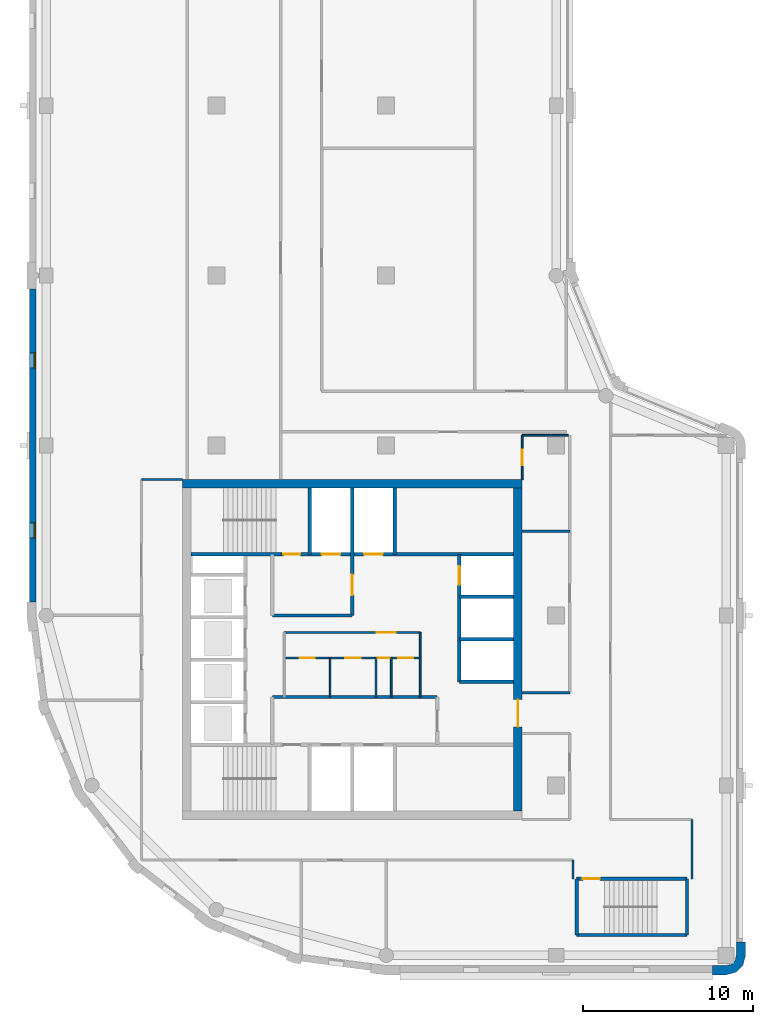
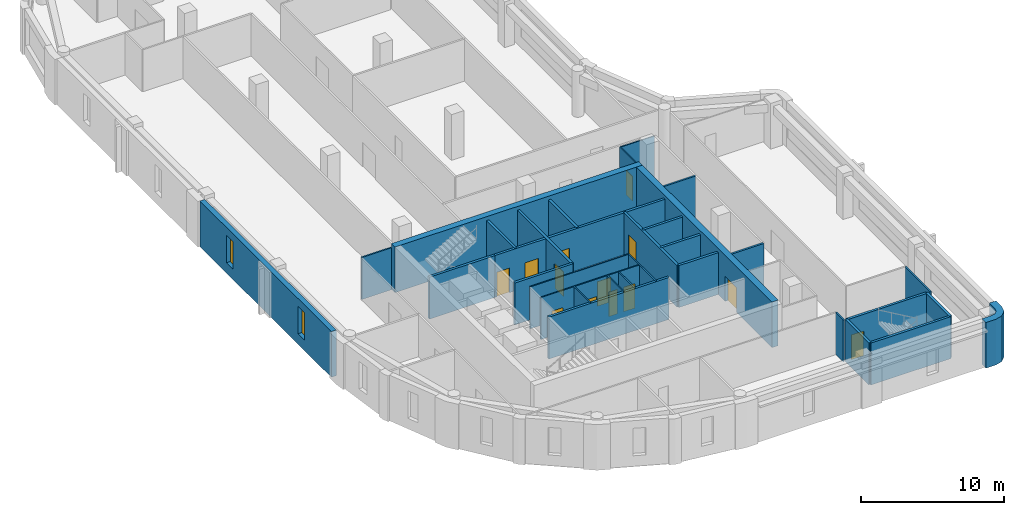
# One storey, part 3 of 8: 32 walls, 13 doors, 2 windows, 15 openings.
"""IFC4 building model written with IfcOpenShell, lengths in metres."""

from ifc_helpers import new_model, si_unit, direction, frame, frame_2d, origin, place, context, subcontext, project, spatial, polyline, rectangle, outline, extrude, material, layer, layer_set, type_object, element, fill, save


model = new_model("IFC4")

# Units and contexts
model_context = context("Model", 3, precision=1e-05, world=origin(), true_north=direction((0.0, 1.0)))
body_context = subcontext(model_context, "Body", "Model", "MODEL_VIEW")
ifc_project = project(units=[si_unit("LENGTHUNIT", "METRE"), si_unit("AREAUNIT", "SQUARE_METRE"), si_unit("VOLUMEUNIT", "CUBIC_METRE"), si_unit("PLANEANGLEUNIT", "RADIAN"), si_unit("MASSUNIT", "GRAM", prefix="KILO")], contexts=[model_context])

# Site, building, storey
site_placement = place(None, origin())
site = spatial("IfcSite", under=ifc_project, at=site_placement, CompositionType="ELEMENT")
building_placement = place(site_placement, origin())
building = spatial("IfcBuilding", under=site, at=building_placement, Name="Qaws Garden Tower", CompositionType="ELEMENT")
storey_placement = place(building_placement, frame((0.0, 0.0, 309.89990234375)))
storey = spatial("IfcBuildingStorey", under=building, at=storey_placement, Name="L75", CompositionType="ELEMENT", Elevation=309.89990234375)

# Wall
ifc_material_1 = material(Name="Buff clay facing brick masonry", Category="masonry")
ifc_layer_1 = layer(ifc_material_1, 0.550048828125)
ifc_layer_set_1 = layer_set([ifc_layer_1], Name="Buff clay facing brick masonry")
wall_type_1 = type_object("IfcWallType", Name="Buff brick corner pier 550 x 2400", PredefinedType="SOLIDWALL", material=ifc_layer_set_1)
wall_1_placement = place(storey_placement, origin())
element("IfcWall", 1, at=wall_1_placement, inside=storey, type_object=wall_type_1, Name="E-L75-pier-02", PredefinedType="SOLIDWALL", context=body_context, shape_type="SweptSolid", body=[
    extrude(outline(polyline([(39.199951171875, -1.0), (39.199951171875, -1.14990234375), (40.0, -1.14990234375), (40.574951171875, -0.995849609375), (40.995849609375, -0.574951171875), (41.14990234375, 0.0), (41.14990234375, 0.800048828125), (41.0, 0.800048828125), (40.60009765625, 0.800048828125), (40.60009765625, 0.0), (40.51953125, -0.300048828125), (40.300048828125, -0.51953125), (40.0, -0.60009765625), (39.199951171875, -0.60009765625), (39.199951171875, -1.0)])), origin(), (0.0, 0.0, 1.0), 3.900146484375),
])

# Wall, openings, windows
ifc_material_2 = material(Name="Buff clay facing brick masonry", Category="masonry")
ifc_layer_2 = layer(ifc_material_2, 0.39990234375)
ifc_layer_set_2 = layer_set([ifc_layer_2], Name="Buff clay facing brick masonry")
wall_type_2 = type_object("IfcWallType", Name="Buff brick infill wall 400", PredefinedType="SOLIDWALL", material=ifc_layer_set_2)
wall_2_placement = place(storey_placement, frame((-0.800048828125, 39.199951171875, 0.0), z_axis=(0.0, 0.0, 1.0), x_axis=(0.0, -1.0, 0.0)))
wall_2 = element("IfcWall", 2, at=wall_2_placement, inside=storey, type_object=wall_type_2, Name="E-L75-infill-19", PredefinedType="SOLIDWALL", context=body_context, shape_type="SweptSolid", body=[
    extrude(rectangle(XDim=18.39990234375, YDim=0.39990234375, at=frame_2d((9.199951171875, 0.0))), origin(), (0.0, 0.0, 1.0), 3.900146484375),
])
opening_1_placement = place(wall_2_placement, frame((3.75, 0.0, 0.89990234375)))
opening_1 = element("IfcOpeningElement", 3, at=opening_1_placement, cuts=wall_2, Name="Opening W09", PredefinedType="OPENING", context=body_context, shape_type="SweptSolid", body=[
    extrude(rectangle(XDim=0.89990234375, YDim=2.35009765625, at=frame_2d((0.449951171875, 1.175048828125))), frame((0.0, 0.2099609375, 0.0), z_axis=(0.0, -1.0, 0.0), x_axis=(1.0, 0.0, 0.0)), (0.0, 0.0, 1.0), 0.419921875),
])
opening_2_placement = place(wall_2_placement, frame((13.75, 0.0, 0.89990234375)))
opening_2 = element("IfcOpeningElement", 4, at=opening_2_placement, cuts=wall_2, Name="Opening W09", PredefinedType="OPENING", context=body_context, shape_type="SweptSolid", body=[
    extrude(rectangle(XDim=0.89990234375, YDim=2.35009765625, at=frame_2d((0.449951171875, 1.175048828125))), frame((0.0, 0.2099609375, 0.0), z_axis=(0.0, -1.0, 0.0), x_axis=(1.0, 0.0, 0.0)), (0.0, 0.0, 1.0), 0.419921875),
])
ifc_material_3 = material(Name="Aluminium framed window, clear glazing", Category="aluminium")
window_type = type_object("IfcWindowType", Name="Slit window 900 x 2350", PartitioningType="SINGLE_PANEL", PredefinedType="WINDOW", material=ifc_material_3)
window_1_placement = place(opening_1_placement, origin())
window_1 = element("IfcWindow", 5, at=window_1_placement, inside=storey, type_object=window_type, Name="E-L75-window-19-0", OverallHeight=2.35009765625, OverallWidth=0.89990234375, PartitioningType="SINGLE_PANEL", PredefinedType="WINDOW", context=body_context, shape_type="SweptSolid", body=[
    extrude(rectangle(XDim=0.89990234375, YDim=2.35009765625, at=frame_2d((0.449951171875, 1.175048828125))), frame((0.0, 0.159912109375, 0.0), z_axis=(0.0, -1.0, 0.0), x_axis=(1.0, 0.0, 0.0)), (0.0, 0.0, 1.0), 0.06005859375),
])
fill(opening_1, window_1)
window_2_placement = place(opening_2_placement, origin())
window_2 = element("IfcWindow", 6, at=window_2_placement, inside=storey, type_object=window_type, Name="E-L75-window-20-0", OverallHeight=2.35009765625, OverallWidth=0.89990234375, PartitioningType="SINGLE_PANEL", PredefinedType="WINDOW", context=body_context, shape_type="SweptSolid", body=[
    extrude(rectangle(XDim=0.89990234375, YDim=2.35009765625, at=frame_2d((0.449951171875, 1.175048828125))), frame((0.0, 0.159912109375, 0.0), z_axis=(0.0, -1.0, 0.0), x_axis=(1.0, 0.0, 0.0)), (0.0, 0.0, 1.0), 0.06005859375),
])
fill(opening_2, window_2)

# Wall, openings, doors
ifc_material_4 = material(Name="Plasterboard")
ifc_layer_3 = layer(ifc_material_4, 0.10009765625)
ifc_layer_set_3 = layer_set([ifc_layer_3], Name="Plasterboard")
wall_type_3 = type_object("IfcWallType", Name="Core partition 100", PredefinedType="PARTITIONING", material=ifc_layer_set_3)
wall_3_placement = place(storey_placement, frame((14.0, 17.5, 0.0), z_axis=(0.0, 0.0, 1.0), x_axis=(1.0, 0.0, 0.0)))
wall_3 = element("IfcWall", 7, at=wall_3_placement, inside=storey, type_object=wall_type_3, Name="Core partition", PredefinedType="PARTITIONING", context=body_context, shape_type="SweptSolid", body=[
    extrude(rectangle(XDim=8.0, YDim=0.10009765625, at=frame_2d((4.0, 0.0))), origin(), (0.0, 0.0, 1.0), 3.580078125),
])
opening_3_placement = place(wall_3_placement, frame((0.89990234375, 0.0, 0.0)))
opening_3 = element("IfcOpeningElement", 8, at=opening_3_placement, cuts=wall_3, Name="Opening WD18", PredefinedType="OPENING", context=body_context, shape_type="SweptSolid", body=[
    extrude(rectangle(XDim=0.89990234375, YDim=2.10009765625, at=frame_2d((0.449951171875, 1.050048828125))), frame((0.0, 0.06005859375, 0.0), z_axis=(0.0, -1.0, 0.0), x_axis=(1.0, 0.0, 0.0)), (0.0, 0.0, 1.0), 0.1201171875),
])
opening_4_placement = place(wall_3_placement, frame((3.60009765625, 0.0, 0.0)))
opening_4 = element("IfcOpeningElement", 9, at=opening_4_placement, cuts=wall_3, Name="Opening WD19", PredefinedType="OPENING", context=body_context, shape_type="SweptSolid", body=[
    extrude(rectangle(XDim=0.89990234375, YDim=2.10009765625, at=frame_2d((0.449951171875, 1.050048828125))), frame((0.0, 0.06005859375, 0.0), z_axis=(0.0, -1.0, 0.0), x_axis=(1.0, 0.0, 0.0)), (0.0, 0.0, 1.0), 0.1201171875),
])
opening_5_placement = place(wall_3_placement, frame((5.5, 0.0, 0.0)))
opening_5 = element("IfcOpeningElement", 10, at=opening_5_placement, cuts=wall_3, Name="Opening XD20", PredefinedType="OPENING", context=body_context, shape_type="SweptSolid", body=[
    extrude(rectangle(XDim=0.699951171875, YDim=2.10009765625, at=frame_2d((0.35009765625, 1.050048828125))), frame((0.0, 0.06005859375, 0.0), z_axis=(0.0, -1.0, 0.0), x_axis=(1.0, 0.0, 0.0)), (0.0, 0.0, 1.0), 0.1201171875),
])
opening_6_placement = place(wall_3_placement, frame((6.699951171875, 0.0, 0.0)))
opening_6 = element("IfcOpeningElement", 11, at=opening_6_placement, cuts=wall_3, Name="Opening WD21", PredefinedType="OPENING", context=body_context, shape_type="SweptSolid", body=[
    extrude(rectangle(XDim=0.89990234375, YDim=2.10009765625, at=frame_2d((0.449951171875, 1.050048828125))), frame((0.0, 0.06005859375, 0.0), z_axis=(0.0, -1.0, 0.0), x_axis=(1.0, 0.0, 0.0)), (0.0, 0.0, 1.0), 0.1201171875),
])
ifc_material_5 = material(Name="Timber", Category="wood")
door_type_1 = type_object("IfcDoorType", Name="Store door 700x2100", OperationType="SINGLE_SWING_LEFT", PredefinedType="DOOR", material=ifc_material_5)
door_1_placement = place(opening_5_placement, frame((0.699951171875, 0.0, 0.0), z_axis=(0.0, 0.0, 1.0), x_axis=(-1.0, 0.0, 0.0)))
door_1 = element("IfcDoor", 12, at=door_1_placement, inside=storey, type_object=door_type_1, Name="Cleaner's store door", OperationType="SINGLE_SWING_LEFT", OverallHeight=2.10009765625, OverallWidth=0.699951171875, PredefinedType="DOOR", context=body_context, shape_type="SweptSolid", body=[
    extrude(rectangle(XDim=0.699951171875, YDim=2.10009765625, at=frame_2d((0.35009765625, 1.050048828125))), frame((0.0, 0.02490234375, 0.0), z_axis=(0.0, -1.0, 0.0), x_axis=(1.0, 0.0, 0.0)), (0.0, 0.0, 1.0), 0.050048828125),
])
fill(opening_5, door_1)
ifc_material_6 = material(Name="Timber", Category="wood")
door_type_2 = type_object("IfcDoorType", Name="WC door 900x2100", OperationType="SINGLE_SWING_LEFT", PredefinedType="DOOR", material=ifc_material_6)
door_2_placement = place(opening_3_placement, frame((0.89990234375, 0.0, 0.0), z_axis=(0.0, 0.0, 1.0), x_axis=(-1.0, 0.0, 0.0)))
door_2 = element("IfcDoor", 13, at=door_2_placement, inside=storey, type_object=door_type_2, Name="Women's WC door", OperationType="SINGLE_SWING_LEFT", OverallHeight=2.10009765625, OverallWidth=0.89990234375, PredefinedType="DOOR", context=body_context, shape_type="SweptSolid", body=[
    extrude(rectangle(XDim=0.89990234375, YDim=2.10009765625, at=frame_2d((0.449951171875, 1.050048828125))), frame((0.0, 0.02490234375, 0.0), z_axis=(0.0, -1.0, 0.0), x_axis=(1.0, 0.0, 0.0)), (0.0, 0.0, 1.0), 0.050048828125),
])
fill(opening_3, door_2)
door_3_placement = place(opening_4_placement, frame((0.89990234375, 0.0, 0.0), z_axis=(0.0, 0.0, 1.0), x_axis=(-1.0, 0.0, 0.0)))
door_3 = element("IfcDoor", 14, at=door_3_placement, inside=storey, type_object=door_type_2, Name="Men's WC door", OperationType="SINGLE_SWING_LEFT", OverallHeight=2.10009765625, OverallWidth=0.89990234375, PredefinedType="DOOR", context=body_context, shape_type="SweptSolid", body=[
    extrude(rectangle(XDim=0.89990234375, YDim=2.10009765625, at=frame_2d((0.449951171875, 1.050048828125))), frame((0.0, 0.02490234375, 0.0), z_axis=(0.0, -1.0, 0.0), x_axis=(1.0, 0.0, 0.0)), (0.0, 0.0, 1.0), 0.050048828125),
])
fill(opening_4, door_3)
door_4_placement = place(opening_6_placement, frame((0.89990234375, 0.0, 0.0), z_axis=(0.0, 0.0, 1.0), x_axis=(-1.0, 0.0, 0.0)))
door_4 = element("IfcDoor", 15, at=door_4_placement, inside=storey, type_object=door_type_2, Name="Accessible WC door", OperationType="SINGLE_SWING_LEFT", OverallHeight=2.10009765625, OverallWidth=0.89990234375, PredefinedType="DOOR", context=body_context, shape_type="SweptSolid", body=[
    extrude(rectangle(XDim=0.89990234375, YDim=2.10009765625, at=frame_2d((0.449951171875, 1.050048828125))), frame((0.0, 0.02490234375, 0.0), z_axis=(0.0, -1.0, 0.0), x_axis=(1.0, 0.0, 0.0)), (0.0, 0.0, 1.0), 0.050048828125),
])
fill(opening_6, door_4)

# Wall, opening, door
wall_4_placement = place(storey_placement, frame((14.0, 19.0, 0.0), z_axis=(0.0, 0.0, 1.0), x_axis=(1.0, 0.0, 0.0)))
wall_4 = element("IfcWall", 16, at=wall_4_placement, inside=storey, type_object=wall_type_3, Name="Core partition", PredefinedType="PARTITIONING", context=body_context, shape_type="SweptSolid", body=[
    extrude(rectangle(XDim=8.0, YDim=0.10009765625, at=frame_2d((4.0, 0.0))), origin(), (0.0, 0.0, 1.0), 3.580078125),
])
opening_7_placement = place(wall_4_placement, frame((5.449951171875, 0.0, 0.0)))
opening_7 = element("IfcOpeningElement", 17, at=opening_7_placement, cuts=wall_4, Name="Opening WL17", PredefinedType="OPENING", context=body_context, shape_type="SweptSolid", body=[
    extrude(rectangle(XDim=1.10009765625, YDim=2.10009765625, at=frame_2d((0.550048828125, 1.050048828125))), frame((0.0, 0.06005859375, 0.0), z_axis=(0.0, -1.0, 0.0), x_axis=(1.0, 0.0, 0.0)), (0.0, 0.0, 1.0), 0.1201171875),
])
ifc_material_7 = material(Name="Timber", Category="wood")
door_type_3 = type_object("IfcDoorType", Name="WC lobby door 1100x2100", OperationType="SINGLE_SWING_LEFT", PredefinedType="DOOR", material=ifc_material_7)
door_5_placement = place(opening_7_placement, frame((1.10009765625, 0.0, 0.0), z_axis=(0.0, 0.0, 1.0), x_axis=(-1.0, 0.0, 0.0)))
door_5 = element("IfcDoor", 18, at=door_5_placement, inside=storey, type_object=door_type_3, Name="WC lobby door", OperationType="SINGLE_SWING_LEFT", OverallHeight=2.10009765625, OverallWidth=1.10009765625, PredefinedType="DOOR", context=body_context, shape_type="SweptSolid", body=[
    extrude(rectangle(XDim=1.10009765625, YDim=2.10009765625, at=frame_2d((0.550048828125, 1.050048828125))), frame((0.0, 0.02490234375, 0.0), z_axis=(0.0, -1.0, 0.0), x_axis=(1.0, 0.0, 0.0)), (0.0, 0.0, 1.0), 0.050048828125),
])
fill(opening_7, door_5)

# Walls
for number, where, z_axis, x_axis, name in (
    (19, (16.699951171875, 15.199951171875, 0.0), (0.0, 0.0, 1.0), (0.0, 1.0, 0.0), "Core partition"),
    (20, (19.39990234375, 15.199951171875, 0.0), (0.0, 0.0, 1.0), (0.0, 1.0, 0.0), "Core partition"),
    (21, (20.300048828125, 15.199951171875, 0.0), (0.0, 0.0, 1.0), (0.0, 1.0, 0.0), "Core partition"),
):
    element("IfcWall", number, at=place(storey_placement, frame(where, z_axis=z_axis, x_axis=x_axis)), inside=storey, type_object=wall_type_3, Name=name, PredefinedType="PARTITIONING", context=body_context, shape_type="SweptSolid", body=[
        extrude(rectangle(XDim=2.300048828125, YDim=0.10009765625, at=frame_2d((1.14990234375, 0.0))), origin(), (0.0, 0.0, 1.0), 3.580078125),
    ])
wall_5_placement = place(storey_placement, frame((22.0, 15.199951171875, 0.0), z_axis=(0.0, 0.0, 1.0), x_axis=(0.0, 1.0, 0.0)))
element("IfcWall", 22, at=wall_5_placement, inside=storey, type_object=wall_type_3, Name="Core partition", PredefinedType="PARTITIONING", context=body_context, shape_type="SweptSolid", body=[
    extrude(rectangle(XDim=3.800048828125, YDim=0.10009765625, at=frame_2d((1.89990234375, 0.0))), origin(), (0.0, 0.0, 1.0), 3.580078125),
])
ifc_material_8 = material(Name="Concrete C60", Category="concrete")
ifc_layer_4 = layer(ifc_material_8, 0.199951171875)
ifc_layer_set_4 = layer_set([ifc_layer_4], Name="Concrete C60")
wall_type_4 = type_object("IfcWallType", Name="Core shaft wall 200 C60", PredefinedType="SHEAR", material=ifc_layer_set_4)
wall_6_placement = place(storey_placement, frame((31.199951171875, 1.199951171875, 0.0), z_axis=(0.0, 0.0, 1.0), x_axis=(1.0, 0.0, 0.0)))
element("IfcWall", 23, at=wall_6_placement, inside=storey, type_object=wall_type_4, Name="Shaft wall", PredefinedType="SHEAR", context=body_context, shape_type="SweptSolid", body=[
    extrude(rectangle(XDim=6.5, YDim=0.199951171875, at=frame_2d((3.25, 0.0))), origin(), (0.0, 0.0, 1.0), 3.580078125),
])

# Wall, opening, door
wall_7_placement = place(storey_placement, frame((31.199951171875, 4.5, 0.0), z_axis=(0.0, 0.0, 1.0), x_axis=(1.0, 0.0, 0.0)))
wall_7 = element("IfcWall", 24, at=wall_7_placement, inside=storey, type_object=wall_type_4, Name="Shaft wall", PredefinedType="SHEAR", context=body_context, shape_type="SweptSolid", body=[
    extrude(rectangle(XDim=6.5, YDim=0.199951171875, at=frame_2d((3.25, 0.0))), origin(), (0.0, 0.0, 1.0), 3.580078125),
])
opening_8_placement = place(wall_7_placement, frame((0.375, 0.0, 0.0)))
opening_8 = element("IfcOpeningElement", 25, at=opening_8_placement, cuts=wall_7, Name="Opening SD12", PredefinedType="OPENING", context=body_context, shape_type="SweptSolid", body=[
    extrude(rectangle(XDim=1.0, YDim=2.10009765625, at=frame_2d((0.5, 1.050048828125))), frame((0.0, 0.10986328125, 0.0), z_axis=(0.0, -1.0, 0.0), x_axis=(1.0, 0.0, 0.0)), (0.0, 0.0, 1.0), 0.219970703125),
])
ifc_material_9 = material(Name="Steel S235", Category="steel")
door_type_4 = type_object("IfcDoorType", Name="Stair door 1000x2100", OperationType="SINGLE_SWING_RIGHT", PredefinedType="DOOR", material=ifc_material_9)
door_6_placement = place(opening_8_placement, frame((1.0, 0.0, 0.0), z_axis=(0.0, 0.0, 1.0), x_axis=(-1.0, 0.0, 0.0)))
door_6 = element("IfcDoor", 26, at=door_6_placement, inside=storey, type_object=door_type_4, Name="Stair 5 door", OperationType="SINGLE_SWING_RIGHT", OverallHeight=2.10009765625, OverallWidth=1.0, PredefinedType="DOOR", context=body_context, shape_type="SweptSolid", body=[
    extrude(rectangle(XDim=1.0, YDim=2.10009765625, at=frame_2d((0.5, 1.050048828125))), frame((0.0, 0.02490234375, 0.0), z_axis=(0.0, -1.0, 0.0), x_axis=(1.0, 0.0, 0.0)), (0.0, 0.0, 1.0), 0.050048828125),
])
fill(opening_8, door_6)

# Walls
wall_8_placement = place(storey_placement, frame((13.300048828125, 15.199951171875, 0.0), z_axis=(0.0, 0.0, 1.0), x_axis=(1.0, 0.0, 0.0)))
element("IfcWall", 27, at=wall_8_placement, inside=storey, type_object=wall_type_4, Name="Shaft wall", PredefinedType="SHEAR", context=body_context, shape_type="SweptSolid", body=[
    extrude(rectangle(XDim=9.699951171875, YDim=0.199951171875, at=frame_2d((4.85009765625, 0.0))), origin(), (0.0, 0.0, 1.0), 3.580078125),
])
for number, where, z_axis, x_axis, name in (
    (28, (24.300048828125, 16.10009765625, 0.0), (0.0, 0.0, 1.0), (1.0, 0.0, 0.0), "Shaft wall"),
    (29, (24.300048828125, 18.60009765625, 0.0), (0.0, 0.0, 1.0), (1.0, 0.0, 0.0), "Shaft wall"),
):
    element("IfcWall", number, at=place(storey_placement, frame(where, z_axis=z_axis, x_axis=x_axis)), inside=storey, type_object=wall_type_4, Name=name, PredefinedType="SHEAR", context=body_context, shape_type="SweptSolid", body=[
        extrude(rectangle(XDim=3.199951171875, YDim=0.199951171875, at=frame_2d((1.60009765625, 0.0))), origin(), (0.0, 0.0, 1.0), 3.580078125),
    ])
wall_9_placement = place(storey_placement, frame((13.300048828125, 20.0, 0.0), z_axis=(0.0, 0.0, 1.0), x_axis=(1.0, 0.0, 0.0)))
element("IfcWall", 30, at=wall_9_placement, inside=storey, type_object=wall_type_4, Name="Shaft wall", PredefinedType="SHEAR", context=body_context, shape_type="SweptSolid", body=[
    extrude(rectangle(XDim=4.699951171875, YDim=0.199951171875, at=frame_2d((2.35009765625, 0.0))), origin(), (0.0, 0.0, 1.0), 3.580078125),
])
wall_10_placement = place(storey_placement, frame((24.300048828125, 21.10009765625, 0.0), z_axis=(0.0, 0.0, 1.0), x_axis=(1.0, 0.0, 0.0)))
element("IfcWall", 31, at=wall_10_placement, inside=storey, type_object=wall_type_4, Name="Shaft wall", PredefinedType="SHEAR", context=body_context, shape_type="SweptSolid", body=[
    extrude(rectangle(XDim=3.199951171875, YDim=0.199951171875, at=frame_2d((1.60009765625, 0.0))), origin(), (0.0, 0.0, 1.0), 3.580078125),
])
wall_11_placement = place(storey_placement, frame((8.5, 23.60009765625, 0.0), z_axis=(0.0, 0.0, 1.0), x_axis=(1.0, 0.0, 0.0)))
element("IfcWall", 32, at=wall_11_placement, inside=storey, type_object=wall_type_4, Name="Shaft wall", PredefinedType="SHEAR", context=body_context, shape_type="SweptSolid", body=[
    extrude(rectangle(XDim=5.300048828125, YDim=0.199951171875, at=frame_2d((2.64990234375, 0.0))), origin(), (0.0, 0.0, 1.0), 3.580078125),
])

# Wall, openings, doors
wall_12_placement = place(storey_placement, frame((13.800048828125, 23.60009765625, 0.0), z_axis=(0.0, 0.0, 1.0), x_axis=(1.0, 0.0, 0.0)))
wall_12 = element("IfcWall", 33, at=wall_12_placement, inside=storey, type_object=wall_type_4, Name="Shaft wall", PredefinedType="SHEAR", context=body_context, shape_type="SweptSolid", body=[
    extrude(rectangle(XDim=13.699951171875, YDim=0.199951171875, at=frame_2d((6.85009765625, 0.0))), origin(), (0.0, 0.0, 1.0), 3.580078125),
])
opening_9_placement = place(wall_12_placement, frame((2.39990234375, 0.0, 0.0)))
opening_9 = element("IfcOpeningElement", 34, at=opening_9_placement, cuts=wall_12, Name="Opening LD08", PredefinedType="OPENING", context=body_context, shape_type="SweptSolid", body=[
    extrude(rectangle(XDim=1.10009765625, YDim=2.10009765625, at=frame_2d((0.550048828125, 1.050048828125))), frame((0.0, 0.10986328125, 0.0), z_axis=(0.0, -1.0, 0.0), x_axis=(1.0, 0.0, 0.0)), (0.0, 0.0, 1.0), 0.219970703125),
])
opening_10_placement = place(wall_12_placement, frame((4.89990234375, 0.0, 0.0)))
opening_10 = element("IfcOpeningElement", 35, at=opening_10_placement, cuts=wall_12, Name="Opening LD09", PredefinedType="OPENING", context=body_context, shape_type="SweptSolid", body=[
    extrude(rectangle(XDim=1.10009765625, YDim=2.10009765625, at=frame_2d((0.550048828125, 1.050048828125))), frame((0.0, 0.10986328125, 0.0), z_axis=(0.0, -1.0, 0.0), x_axis=(1.0, 0.0, 0.0)), (0.0, 0.0, 1.0), 0.219970703125),
])
opening_11_placement = place(wall_12_placement, frame((0.14990234375, 0.0, 0.0)))
opening_11 = element("IfcOpeningElement", 36, at=opening_11_placement, cuts=wall_12, Name="Opening SD11", PredefinedType="OPENING", context=body_context, shape_type="SweptSolid", body=[
    extrude(rectangle(XDim=1.0, YDim=2.10009765625, at=frame_2d((0.5, 1.050048828125))), frame((0.0, 0.10986328125, 0.0), z_axis=(0.0, -1.0, 0.0), x_axis=(1.0, 0.0, 0.0)), (0.0, 0.0, 1.0), 0.219970703125),
])
ifc_material_10 = material(Name="Steel S235", Category="steel")
door_type_5 = type_object("IfcDoorType", Name="Landing door 1100x2100", OperationType="DOUBLE_DOOR_SLIDING", PredefinedType="DOOR", material=ifc_material_10)
door_7_placement = place(opening_9_placement, origin())
door_7 = element("IfcDoor", 37, at=door_7_placement, inside=storey, type_object=door_type_5, Name="Lift FF3 landing door", OperationType="DOUBLE_DOOR_SLIDING", OverallHeight=2.10009765625, OverallWidth=1.10009765625, PredefinedType="DOOR", context=body_context, shape_type="SweptSolid", body=[
    extrude(rectangle(XDim=1.10009765625, YDim=2.10009765625, at=frame_2d((0.550048828125, 1.050048828125))), frame((0.0, 0.02490234375, 0.0), z_axis=(0.0, -1.0, 0.0), x_axis=(1.0, 0.0, 0.0)), (0.0, 0.0, 1.0), 0.050048828125),
])
fill(opening_9, door_7)
door_8_placement = place(opening_10_placement, origin())
door_8 = element("IfcDoor", 38, at=door_8_placement, inside=storey, type_object=door_type_5, Name="Lift SV2 landing door", OperationType="DOUBLE_DOOR_SLIDING", OverallHeight=2.10009765625, OverallWidth=1.10009765625, PredefinedType="DOOR", context=body_context, shape_type="SweptSolid", body=[
    extrude(rectangle(XDim=1.10009765625, YDim=2.10009765625, at=frame_2d((0.550048828125, 1.050048828125))), frame((0.0, 0.02490234375, 0.0), z_axis=(0.0, -1.0, 0.0), x_axis=(1.0, 0.0, 0.0)), (0.0, 0.0, 1.0), 0.050048828125),
])
fill(opening_10, door_8)
door_9_placement = place(opening_11_placement, origin())
door_9 = element("IfcDoor", 39, at=door_9_placement, inside=storey, type_object=door_type_4, Name="Stair 4 door", OperationType="SINGLE_SWING_RIGHT", OverallHeight=2.10009765625, OverallWidth=1.0, PredefinedType="DOOR", context=body_context, shape_type="SweptSolid", body=[
    extrude(rectangle(XDim=1.0, YDim=2.10009765625, at=frame_2d((0.5, 1.050048828125))), frame((0.0, 0.02490234375, 0.0), z_axis=(0.0, -1.0, 0.0), x_axis=(1.0, 0.0, 0.0)), (0.0, 0.0, 1.0), 0.050048828125),
])
fill(opening_11, door_9)

# Wall
wall_13_placement = place(storey_placement, frame((15.5, 23.60009765625, 0.0), z_axis=(0.0, 0.0, 1.0), x_axis=(0.0, 1.0, 0.0)))
element("IfcWall", 40, at=wall_13_placement, inside=storey, type_object=wall_type_4, Name="Shaft wall", PredefinedType="SHEAR", context=body_context, shape_type="SweptSolid", body=[
    extrude(rectangle(XDim=3.89990234375, YDim=0.199951171875, at=frame_2d((1.949951171875, 0.0))), origin(), (0.0, 0.0, 1.0), 3.580078125),
])

# Wall, opening, door
wall_14_placement = place(storey_placement, frame((18.0, 20.0, 0.0), z_axis=(0.0, 0.0, 1.0), x_axis=(0.0, 1.0, 0.0)))
wall_14 = element("IfcWall", 41, at=wall_14_placement, inside=storey, type_object=wall_type_4, Name="Shaft wall", PredefinedType="SHEAR", context=body_context, shape_type="SweptSolid", body=[
    extrude(rectangle(XDim=7.5, YDim=0.199951171875, at=frame_2d((3.75, 0.0))), origin(), (0.0, 0.0, 1.0), 3.580078125),
])
opening_12_placement = place(wall_14_placement, frame((1.199951171875, 0.0, 0.0)))
opening_12 = element("IfcOpeningElement", 42, at=opening_12_placement, cuts=wall_14, Name="Opening FD16", PredefinedType="OPENING", context=body_context, shape_type="SweptSolid", body=[
    extrude(rectangle(XDim=1.199951171875, YDim=2.10009765625, at=frame_2d((0.60009765625, 1.050048828125))), frame((0.0, 0.10986328125, 0.0), z_axis=(0.0, -1.0, 0.0), x_axis=(1.0, 0.0, 0.0)), (0.0, 0.0, 1.0), 0.219970703125),
])
ifc_material_11 = material(Name="Steel S235", Category="steel")
door_type_6 = type_object("IfcDoorType", Name="Lobby door 1200x2100", OperationType="DOUBLE_DOOR_SINGLE_SWING", PredefinedType="DOOR", material=ifc_material_11)
door_10_placement = place(opening_12_placement, origin())
door_10 = element("IfcDoor", 43, at=door_10_placement, inside=storey, type_object=door_type_6, Name="Fire-fighting lobby door", OperationType="DOUBLE_DOOR_SINGLE_SWING", OverallHeight=2.10009765625, OverallWidth=1.199951171875, PredefinedType="DOOR", context=body_context, shape_type="SweptSolid", body=[
    extrude(rectangle(XDim=1.199951171875, YDim=2.10009765625, at=frame_2d((0.60009765625, 1.050048828125))), frame((0.0, 0.02490234375, 0.0), z_axis=(0.0, -1.0, 0.0), x_axis=(1.0, 0.0, 0.0)), (0.0, 0.0, 1.0), 0.050048828125),
])
fill(opening_12, door_10)

# Wall
wall_15_placement = place(storey_placement, frame((20.5, 23.60009765625, 0.0), z_axis=(0.0, 0.0, 1.0), x_axis=(0.0, 1.0, 0.0)))
element("IfcWall", 44, at=wall_15_placement, inside=storey, type_object=wall_type_4, Name="Shaft wall", PredefinedType="SHEAR", context=body_context, shape_type="SweptSolid", body=[
    extrude(rectangle(XDim=3.89990234375, YDim=0.199951171875, at=frame_2d((1.949951171875, 0.0))), origin(), (0.0, 0.0, 1.0), 3.580078125),
])

# Wall, opening, door
wall_16_placement = place(storey_placement, frame((24.300048828125, 16.10009765625, 0.0), z_axis=(0.0, 0.0, 1.0), x_axis=(0.0, 1.0, 0.0)))
wall_16 = element("IfcWall", 45, at=wall_16_placement, inside=storey, type_object=wall_type_4, Name="Shaft wall", PredefinedType="SHEAR", context=body_context, shape_type="SweptSolid", body=[
    extrude(rectangle(XDim=7.5, YDim=0.199951171875, at=frame_2d((3.75, 0.0))), origin(), (0.0, 0.0, 1.0), 3.580078125),
])
opening_13_placement = place(wall_16_placement, frame((5.699951171875, 0.0, 0.0)))
opening_13 = element("IfcOpeningElement", 46, at=opening_13_placement, cuts=wall_16, Name="Opening LD05", PredefinedType="OPENING", context=body_context, shape_type="SweptSolid", body=[
    extrude(rectangle(XDim=1.10009765625, YDim=2.10009765625, at=frame_2d((0.550048828125, 1.050048828125))), frame((0.0, 0.10986328125, 0.0), z_axis=(0.0, -1.0, 0.0), x_axis=(1.0, 0.0, 0.0)), (0.0, 0.0, 1.0), 0.219970703125),
])
door_11_placement = place(opening_13_placement, origin())
door_11 = element("IfcDoor", 47, at=door_11_placement, inside=storey, type_object=door_type_5, Name="Lift E3 landing door", OperationType="DOUBLE_DOOR_SLIDING", OverallHeight=2.10009765625, OverallWidth=1.10009765625, PredefinedType="DOOR", context=body_context, shape_type="SweptSolid", body=[
    extrude(rectangle(XDim=1.10009765625, YDim=2.10009765625, at=frame_2d((0.550048828125, 1.050048828125))), frame((0.0, 0.02490234375, 0.0), z_axis=(0.0, -1.0, 0.0), x_axis=(1.0, 0.0, 0.0)), (0.0, 0.0, 1.0), 0.050048828125),
])
fill(opening_13, door_11)

# Walls
for number, where, z_axis, x_axis, name in (
    (48, (31.199951171875, 1.199951171875, 0.0), (0.0, 0.0, 1.0), (0.0, 1.0, 0.0), "Shaft wall"),
    (49, (37.699951171875, 1.199951171875, 0.0), (0.0, 0.0, 1.0), (0.0, 1.0, 0.0), "Shaft wall"),
):
    element("IfcWall", number, at=place(storey_placement, frame(where, z_axis=z_axis, x_axis=x_axis)), inside=storey, type_object=wall_type_4, Name=name, PredefinedType="SHEAR", context=body_context, shape_type="SweptSolid", body=[
        extrude(rectangle(XDim=3.300048828125, YDim=0.199951171875, at=frame_2d((1.64990234375, 0.0))), origin(), (0.0, 0.0, 1.0), 3.580078125),
    ])

# Wall, opening, door
ifc_material_12 = material(Name="Concrete C60", Category="concrete")
ifc_layer_5 = layer(ifc_material_12, 0.5)
ifc_layer_set_5 = layer_set([ifc_layer_5], Name="Concrete C60")
wall_type_5 = type_object("IfcWallType", Name="Core wall 500 C60", PredefinedType="SHEAR", material=ifc_layer_set_5)
wall_17_placement = place(storey_placement, frame((27.75, 8.5, 0.0), z_axis=(0.0, 0.0, 1.0), x_axis=(0.0, 1.0, 0.0)))
wall_17 = element("IfcWall", 50, at=wall_17_placement, inside=storey, type_object=wall_type_5, Name="Core wall L75 east", PredefinedType="SHEAR", context=body_context, shape_type="SweptSolid", body=[
    extrude(rectangle(XDim=19.0, YDim=0.5, at=frame_2d((9.5, 0.0))), origin(), (0.0, 0.0, 1.0), 3.900146484375),
])
opening_14_placement = place(wall_17_placement, frame((4.949951171875, 0.0, 0.0)))
opening_14 = element("IfcOpeningElement", 51, at=opening_14_placement, cuts=wall_17, Name="Opening ED22", PredefinedType="OPENING", context=body_context, shape_type="SweptSolid", body=[
    extrude(rectangle(XDim=1.60009765625, YDim=2.10009765625, at=frame_2d((0.800048828125, 1.050048828125))), frame((0.0, 0.260009765625, 0.0), z_axis=(0.0, -1.0, 0.0), x_axis=(1.0, 0.0, 0.0)), (0.0, 0.0, 1.0), 0.52001953125),
])
ifc_material_13 = material(Name="Steel S235", Category="steel")
door_type_7 = type_object("IfcDoorType", Name="Core entrance door 1600x2100", OperationType="DOUBLE_DOOR_SINGLE_SWING", PredefinedType="DOOR", material=ifc_material_13)
door_12_placement = place(opening_14_placement, origin())
door_12 = element("IfcDoor", 52, at=door_12_placement, inside=storey, type_object=door_type_7, Name="Core entrance door", OperationType="DOUBLE_DOOR_SINGLE_SWING", OverallHeight=2.10009765625, OverallWidth=1.60009765625, PredefinedType="DOOR", context=body_context, shape_type="SweptSolid", body=[
    extrude(rectangle(XDim=1.60009765625, YDim=2.10009765625, at=frame_2d((0.800048828125, 1.050048828125))), frame((0.0, 0.02490234375, 0.0), z_axis=(0.0, -1.0, 0.0), x_axis=(1.0, 0.0, 0.0)), (0.0, 0.0, 1.0), 0.050048828125),
])
fill(opening_14, door_12)

# Walls
wall_18_placement = place(storey_placement, frame((28.0, 27.75, 0.0), z_axis=(0.0, 0.0, 1.0), x_axis=(-1.0, 0.0, 0.0)))
element("IfcWall", 53, at=wall_18_placement, inside=storey, type_object=wall_type_5, Name="Core wall L75 north", PredefinedType="SHEAR", context=body_context, shape_type="SweptSolid", body=[
    extrude(rectangle(XDim=20.0, YDim=0.5, at=frame_2d((10.0, 0.0))), origin(), (0.0, 0.0, 1.0), 3.900146484375),
])
ifc_material_14 = material(Name="Glass and aluminium framing", Category="aluminium")
ifc_layer_6 = layer(ifc_material_14, 0.1201171875)
ifc_layer_set_6 = layer_set([ifc_layer_6], Name="Glass and aluminium framing")
wall_type_6 = type_object("IfcWallType", Name="GLAZED PARTITION 120 EI 30", PredefinedType="PARTITIONING", material=ifc_layer_set_6)
wall_19_placement = place(storey_placement, frame((31.0, 4.5, 0.0), z_axis=(0.0, 0.0, 1.0), x_axis=(0.0, 1.0, 0.0)))
element("IfcWall", 54, at=wall_19_placement, inside=storey, type_object=wall_type_6, Name="O-L75-wall-033", PredefinedType="PARTITIONING", context=body_context, shape_type="SweptSolid", body=[
    extrude(rectangle(XDim=1.10009765625, YDim=0.1201171875, at=frame_2d((0.550048828125, 0.0))), origin(), (0.0, 0.0, 1.0), 3.580078125),
])
wall_20_placement = place(storey_placement, frame((38.0, 4.5, 0.0), z_axis=(0.0, 0.0, 1.0), x_axis=(0.0, 1.0, 0.0)))
element("IfcWall", 55, at=wall_20_placement, inside=storey, type_object=wall_type_6, Name="O-L75-wall-035", PredefinedType="PARTITIONING", context=body_context, shape_type="SweptSolid", body=[
    extrude(rectangle(XDim=3.5, YDim=0.1201171875, at=frame_2d((1.75, 0.0))), origin(), (0.0, 0.0, 1.0), 3.580078125),
])
wall_21_placement = place(storey_placement, frame((5.60009765625, 28.0, 0.0), z_axis=(0.0, 0.0, 1.0), x_axis=(1.0, 0.0, 0.0)))
element("IfcWall", 56, at=wall_21_placement, inside=storey, type_object=wall_type_6, Name="O-L75-wall-041", PredefinedType="PARTITIONING", context=body_context, shape_type="SweptSolid", body=[
    extrude(rectangle(XDim=2.39990234375, YDim=0.1201171875, at=frame_2d((1.199951171875, 0.0))), origin(), (0.0, 0.0, 1.0), 3.580078125),
])

# Wall, opening, door
ifc_material_15 = material(Name="Gypsum board partition")
ifc_layer_7 = layer(ifc_material_15, 0.10009765625)
ifc_layer_set_7 = layer_set([ifc_layer_7], Name="Gypsum board partition")
wall_type_7 = type_object("IfcWallType", Name="PARTITION 100", PredefinedType="PARTITIONING", material=ifc_layer_set_7)
wall_22_placement = place(storey_placement, frame((28.0, 28.0, 0.0), z_axis=(0.0, 0.0, 1.0), x_axis=(0.0, 1.0, 0.0)))
wall_22 = element("IfcWall", 57, at=wall_22_placement, inside=storey, type_object=wall_type_7, Name="O-L75-wall-001", PredefinedType="PARTITIONING", context=body_context, shape_type="SweptSolid", body=[
    extrude(rectangle(XDim=2.597900390625, YDim=0.10009765625, at=frame_2d((1.298828125, 0.0))), origin(), (0.0, 0.0, 1.0), 3.580078125),
])
opening_15_placement = place(wall_22_placement, frame((0.85009765625, 0.0, 0.0)))
opening_15 = element("IfcOpeningElement", 58, at=opening_15_placement, cuts=wall_22, Name="Opening C716", PredefinedType="OPENING", context=body_context, shape_type="SweptSolid", body=[
    extrude(rectangle(XDim=0.89990234375, YDim=2.10009765625, at=frame_2d((0.449951171875, 1.050048828125))), frame((0.0, 0.06005859375, 0.0), z_axis=(0.0, -1.0, 0.0), x_axis=(1.0, 0.0, 0.0)), (0.0, 0.0, 1.0), 0.1201171875),
])
ifc_material_16 = material(Name="Timber door leaf", Category="wood")
door_type_8 = type_object("IfcDoorType", Name="OFFICE DOOR 900 X 2100", OperationType="SINGLE_SWING_LEFT", PredefinedType="DOOR", material=ifc_material_16)
door_13_placement = place(opening_15_placement, frame((0.89990234375, 0.0, 0.0), z_axis=(0.0, 0.0, 1.0), x_axis=(-1.0, 0.0, 0.0)))
door_13 = element("IfcDoor", 59, at=door_13_placement, inside=storey, type_object=door_type_8, Name="O-L75-door-016", OperationType="SINGLE_SWING_LEFT", OverallHeight=2.10009765625, OverallWidth=0.89990234375, PredefinedType="DOOR", context=body_context, shape_type="SweptSolid", body=[
    extrude(rectangle(XDim=0.89990234375, YDim=2.10009765625, at=frame_2d((0.449951171875, 1.050048828125))), frame((0.0, 0.02490234375, 0.0), z_axis=(0.0, -1.0, 0.0), x_axis=(1.0, 0.0, 0.0)), (0.0, 0.0, 1.0), 0.050048828125),
])
fill(opening_15, door_13)

# Walls
wall_23_placement = place(storey_placement, frame((28.001953125, 30.60009765625, 0.0), z_axis=(0.0, 0.0, 1.0), x_axis=(1.0, 0.0, 0.0)))
element("IfcWall", 60, at=wall_23_placement, inside=storey, type_object=wall_type_7, Name="O-L75-wall-002", PredefinedType="PARTITIONING", context=body_context, shape_type="SweptSolid", body=[
    extrude(rectangle(XDim=2.72314453125, YDim=0.10009765625, at=frame_2d((1.361572265625, 0.0))), origin(), (0.0, 0.0, 1.0), 3.580078125),
])
ifc_material_17 = material(Name="Gypsum board partition")
ifc_layer_8 = layer(ifc_material_17, 0.14990234375)
ifc_layer_set_8 = layer_set([ifc_layer_8], Name="Gypsum board partition")
wall_type_8 = type_object("IfcWallType", Name="PARTITION 150 EI 60", PredefinedType="PARTITIONING", material=ifc_layer_set_8)
for number, where, z_axis, x_axis, name in (
    (61, (28.0, 15.449951171875, 0.0), (0.0, 0.0, 1.0), (1.0, 0.0, 0.0), "O-L75-wall-017"),
    (62, (28.0, 24.949951171875, 0.0), (0.0, 0.0, 1.0), (1.0, 0.0, 0.0), "O-L75-wall-019"),
):
    element("IfcWall", number, at=place(storey_placement, frame(where, z_axis=z_axis, x_axis=x_axis)), inside=storey, type_object=wall_type_8, Name=name, PredefinedType="PARTITIONING", context=body_context, shape_type="SweptSolid", body=[
        extrude(rectangle(XDim=2.800048828125, YDim=0.14990234375, at=frame_2d((1.39990234375, 0.0))), origin(), (0.0, 0.0, 1.0), 3.580078125),
    ])

save(model, "model.ifc")
